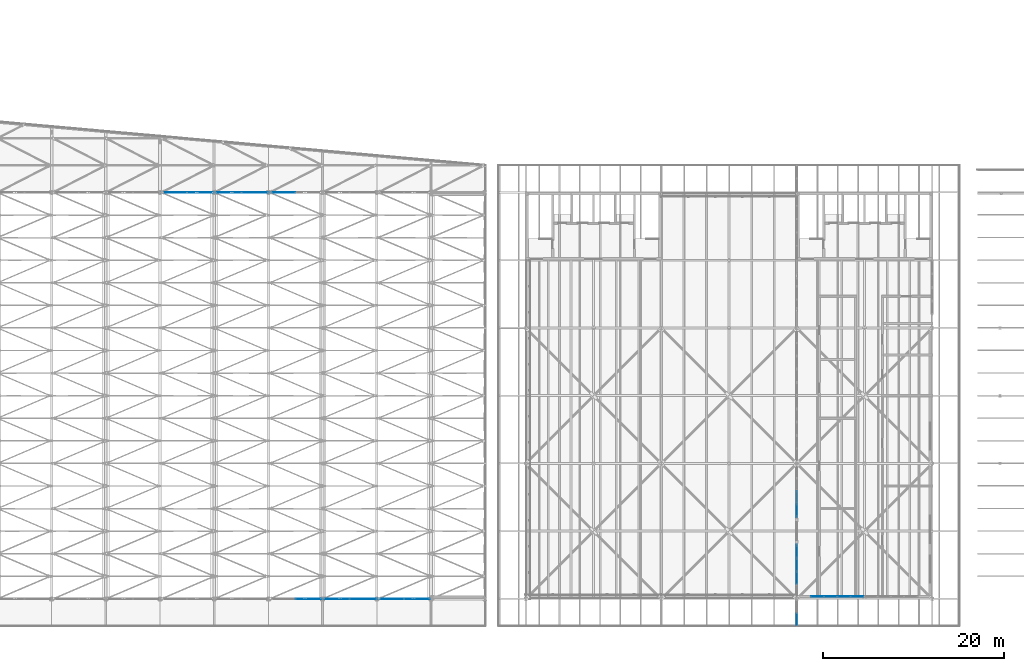
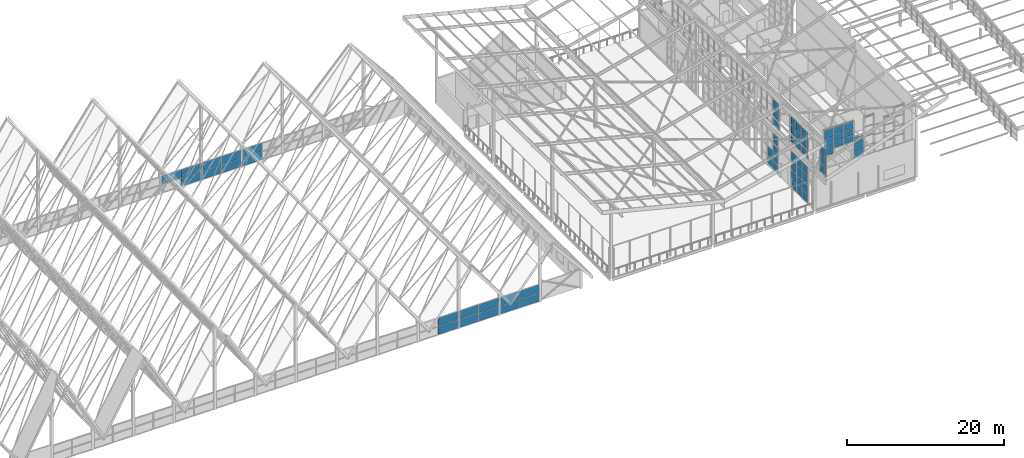
# One storey, part 107 of 483: 64 plates, 20 elements without a shape of their own.
"""IFC4 building model written with IfcOpenShell, lengths in metres."""

from ifc_helpers import new_model, si_unit, direction, frame, origin, origin_2d, place, context, subcontext, project, spatial, rectangle, extrude, material, layer, layer_set, type_object, element, aggregate, save


model = new_model("IFC4")

# Units and contexts
model_context = context("Model", 3, precision=1e-05, world=origin(), true_north=direction((0.0, 1.0)))
body_context = subcontext(model_context, "Body", "Model", "MODEL_VIEW")
ifc_project = project(units=[si_unit("LENGTHUNIT", "METRE"), si_unit("AREAUNIT", "SQUARE_METRE"), si_unit("VOLUMEUNIT", "CUBIC_METRE"), si_unit("PLANEANGLEUNIT", "RADIAN"), si_unit("MASSUNIT", "GRAM", prefix="KILO")], contexts=[model_context])

# Site, building, storey
site_placement = place(None, origin())
site = spatial("IfcSite", under=ifc_project, at=site_placement, CompositionType="ELEMENT")
building_placement = place(site_placement, origin())
building = spatial("IfcBuilding", under=site, at=building_placement, Name="Parallax Yard Mobility Hub", CompositionType="ELEMENT")
storey_placement = place(building_placement, frame((0.0, 0.0, 13.199951171875)))
storey = spatial("IfcBuildingStorey", under=building, at=storey_placement, Name="L04", CompositionType="ELEMENT", Elevation=13.199951171875)

# Curtain wall, plates
ifc_material_1 = material(Name="Thermally broken aluminium curtain wall system", Category="aluminium")
curtain_wall_type_1 = type_object("IfcCurtainWallType", Name="Curtain wall run 60 x 160 frame", PredefinedType="NOTDEFINED", material=ifc_material_1)
curtain_wall_1_placement = place(storey_placement, origin())
curtain_wall_1 = element("IfcCurtainWall", 1, at=curtain_wall_1_placement, inside=storey, type_object=curtain_wall_type_1, Name="Glazed gable end Bus and taxi deck south gable bay 11 level L04", PredefinedType="NOTDEFINED")
ifc_material_2 = material(Name="Laminated low-E double glazing", Category="glass")
ifc_layer_1 = layer(ifc_material_2, 0.028076171875)
ifc_layer_set_1 = layer_set([ifc_layer_1], Name="Glazing panel 28")
plate_type_1 = type_object("IfcPlateType", Name="Glazing panel 28", PredefinedType="CURTAIN_PANEL", material=ifc_layer_set_1)
plate_1_placement = place(storey_placement, frame((73.485107421875, 7.5, 0.06005859375), z_axis=(0.0, 0.0, 1.0), x_axis=(1.0, 0.0, 0.0)))
plate_1 = element("IfcPlate", 2, at=plate_1_placement, type_object=plate_type_1, Name="CW1 panel 2.1", PredefinedType="CURTAIN_PANEL", context=body_context, shape_type="SweptSolid", body=[
    extrude(rectangle(XDim=2.909912109375, YDim=0.028076171875, at=origin_2d()), origin(), (0.0, 0.0, 1.0), 1.2548828125),
])
plate_2_placement = place(storey_placement, frame((73.485107421875, 7.5, 1.375), z_axis=(0.0, 0.0, 1.0), x_axis=(1.0, 0.0, 0.0)))
plate_2 = element("IfcPlate", 3, at=plate_2_placement, type_object=plate_type_1, Name="CW1 panel 2.2", PredefinedType="CURTAIN_PANEL", context=body_context, shape_type="SweptSolid", body=[
    extrude(rectangle(XDim=2.909912109375, YDim=0.028076171875, at=origin_2d()), origin(), (0.0, 0.0, 1.0), 1.2548828125),
])
aggregate(curtain_wall_1, [plate_1, plate_2])

curtain_wall_2_placement = place(storey_placement, origin())
curtain_wall_2 = element("IfcCurtainWall", 4, at=curtain_wall_2_placement, inside=storey, type_object=curtain_wall_type_1, Name="Glazed gable end Bus and taxi deck south gable bay 12 level L04", PredefinedType="NOTDEFINED")
plate_3_placement = place(storey_placement, frame((76.514892578125, 7.5, 0.06005859375), z_axis=(0.0, 0.0, 1.0), x_axis=(1.0, 0.0, 0.0)))
plate_3 = element("IfcPlate", 5, at=plate_3_placement, type_object=plate_type_1, Name="CW1 panel 1.1", PredefinedType="CURTAIN_PANEL", context=body_context, shape_type="SweptSolid", body=[
    extrude(rectangle(XDim=2.909912109375, YDim=0.028076171875, at=origin_2d()), origin(), (0.0, 0.0, 1.0), 1.2548828125),
])
plate_4_placement = place(storey_placement, frame((76.514892578125, 7.5, 1.375), z_axis=(0.0, 0.0, 1.0), x_axis=(1.0, 0.0, 0.0)))
plate_4 = element("IfcPlate", 6, at=plate_4_placement, type_object=plate_type_1, Name="CW1 panel 1.2", PredefinedType="CURTAIN_PANEL", context=body_context, shape_type="SweptSolid", body=[
    extrude(rectangle(XDim=2.909912109375, YDim=0.028076171875, at=origin_2d()), origin(), (0.0, 0.0, 1.0), 1.2548828125),
])
plate_5_placement = place(storey_placement, frame((79.485107421875, 7.5, 0.06005859375), z_axis=(0.0, 0.0, 1.0), x_axis=(1.0, 0.0, 0.0)))
plate_5 = element("IfcPlate", 7, at=plate_5_placement, type_object=plate_type_1, Name="CW1 panel 2.1", PredefinedType="CURTAIN_PANEL", context=body_context, shape_type="SweptSolid", body=[
    extrude(rectangle(XDim=2.909912109375, YDim=0.028076171875, at=origin_2d()), origin(), (0.0, 0.0, 1.0), 1.2548828125),
])
plate_6_placement = place(storey_placement, frame((79.485107421875, 7.5, 1.375), z_axis=(0.0, 0.0, 1.0), x_axis=(1.0, 0.0, 0.0)))
plate_6 = element("IfcPlate", 8, at=plate_6_placement, type_object=plate_type_1, Name="CW1 panel 2.2", PredefinedType="CURTAIN_PANEL", context=body_context, shape_type="SweptSolid", body=[
    extrude(rectangle(XDim=2.909912109375, YDim=0.028076171875, at=origin_2d()), origin(), (0.0, 0.0, 1.0), 1.2548828125),
])
aggregate(curtain_wall_2, [plate_3, plate_4, plate_5, plate_6])

curtain_wall_3_placement = place(storey_placement, origin())
curtain_wall_3 = element("IfcCurtainWall", 9, at=curtain_wall_3_placement, inside=storey, type_object=curtain_wall_type_1, Name="Glazed gable end Bus and taxi deck south gable bay 13 level L04", PredefinedType="NOTDEFINED")
plate_7_placement = place(storey_placement, frame((82.514892578125, 7.5, 0.06005859375), z_axis=(0.0, 0.0, 1.0), x_axis=(1.0, 0.0, 0.0)))
plate_7 = element("IfcPlate", 10, at=plate_7_placement, type_object=plate_type_1, Name="CW1 panel 1.1", PredefinedType="CURTAIN_PANEL", context=body_context, shape_type="SweptSolid", body=[
    extrude(rectangle(XDim=2.909912109375, YDim=0.028076171875, at=origin_2d()), origin(), (0.0, 0.0, 1.0), 1.2548828125),
])
plate_8_placement = place(storey_placement, frame((82.514892578125, 7.5, 1.375), z_axis=(0.0, 0.0, 1.0), x_axis=(1.0, 0.0, 0.0)))
plate_8 = element("IfcPlate", 11, at=plate_8_placement, type_object=plate_type_1, Name="CW1 panel 1.2", PredefinedType="CURTAIN_PANEL", context=body_context, shape_type="SweptSolid", body=[
    extrude(rectangle(XDim=2.909912109375, YDim=0.028076171875, at=origin_2d()), origin(), (0.0, 0.0, 1.0), 1.2548828125),
])
plate_9_placement = place(storey_placement, frame((85.485107421875, 7.5, 0.06005859375), z_axis=(0.0, 0.0, 1.0), x_axis=(1.0, 0.0, 0.0)))
plate_9 = element("IfcPlate", 12, at=plate_9_placement, type_object=plate_type_1, Name="CW1 panel 2.1", PredefinedType="CURTAIN_PANEL", context=body_context, shape_type="SweptSolid", body=[
    extrude(rectangle(XDim=2.909912109375, YDim=0.028076171875, at=origin_2d()), origin(), (0.0, 0.0, 1.0), 1.2548828125),
])
plate_10_placement = place(storey_placement, frame((85.485107421875, 7.5, 1.375), z_axis=(0.0, 0.0, 1.0), x_axis=(1.0, 0.0, 0.0)))
plate_10 = element("IfcPlate", 13, at=plate_10_placement, type_object=plate_type_1, Name="CW1 panel 2.2", PredefinedType="CURTAIN_PANEL", context=body_context, shape_type="SweptSolid", body=[
    extrude(rectangle(XDim=2.909912109375, YDim=0.028076171875, at=origin_2d()), origin(), (0.0, 0.0, 1.0), 1.2548828125),
])
aggregate(curtain_wall_3, [plate_7, plate_8, plate_9, plate_10])

curtain_wall_4_placement = place(storey_placement, origin())
curtain_wall_4 = element("IfcCurtainWall", 14, at=curtain_wall_4_placement, inside=storey, type_object=curtain_wall_type_1, Name="Glazed gable end Bus and taxi deck north gable bay 9 level L04", PredefinedType="NOTDEFINED")
plate_11_placement = place(storey_placement, frame((58.514892578125, 52.5, 1.375), z_axis=(0.0, 0.0, 1.0), x_axis=(1.0, 0.0, 0.0)))
plate_11 = element("IfcPlate", 15, at=plate_11_placement, type_object=plate_type_1, Name="CW1 panel 1.2", PredefinedType="CURTAIN_PANEL", context=body_context, shape_type="SweptSolid", body=[
    extrude(rectangle(XDim=2.909912109375, YDim=0.028076171875, at=origin_2d()), origin(), (0.0, 0.0, 1.0), 1.2548828125),
])
plate_12_placement = place(storey_placement, frame((61.485107421875, 52.5, 0.06005859375), z_axis=(0.0, 0.0, 1.0), x_axis=(1.0, 0.0, 0.0)))
plate_12 = element("IfcPlate", 16, at=plate_12_placement, type_object=plate_type_1, Name="CW1 panel 2.1", PredefinedType="CURTAIN_PANEL", context=body_context, shape_type="SweptSolid", body=[
    extrude(rectangle(XDim=2.909912109375, YDim=0.028076171875, at=origin_2d()), origin(), (0.0, 0.0, 1.0), 1.2548828125),
])
plate_13_placement = place(storey_placement, frame((61.485107421875, 52.5, 1.375), z_axis=(0.0, 0.0, 1.0), x_axis=(1.0, 0.0, 0.0)))
plate_13 = element("IfcPlate", 17, at=plate_13_placement, type_object=plate_type_1, Name="CW1 panel 2.2", PredefinedType="CURTAIN_PANEL", context=body_context, shape_type="SweptSolid", body=[
    extrude(rectangle(XDim=2.909912109375, YDim=0.028076171875, at=origin_2d()), origin(), (0.0, 0.0, 1.0), 1.2548828125),
])
aggregate(curtain_wall_4, [plate_11, plate_12, plate_13])

curtain_wall_5_placement = place(storey_placement, origin())
curtain_wall_5 = element("IfcCurtainWall", 18, at=curtain_wall_5_placement, inside=storey, type_object=curtain_wall_type_1, Name="Glazed gable end Bus and taxi deck north gable bay 10 level L04", PredefinedType="NOTDEFINED")
plate_14_placement = place(storey_placement, frame((64.514892578125, 52.5, 0.06005859375), z_axis=(0.0, 0.0, 1.0), x_axis=(1.0, 0.0, 0.0)))
plate_14 = element("IfcPlate", 19, at=plate_14_placement, type_object=plate_type_1, Name="CW1 panel 1.1", PredefinedType="CURTAIN_PANEL", context=body_context, shape_type="SweptSolid", body=[
    extrude(rectangle(XDim=2.909912109375, YDim=0.028076171875, at=origin_2d()), origin(), (0.0, 0.0, 1.0), 1.2548828125),
])
plate_15_placement = place(storey_placement, frame((64.514892578125, 52.5, 1.375), z_axis=(0.0, 0.0, 1.0), x_axis=(1.0, 0.0, 0.0)))
plate_15 = element("IfcPlate", 20, at=plate_15_placement, type_object=plate_type_1, Name="CW1 panel 1.2", PredefinedType="CURTAIN_PANEL", context=body_context, shape_type="SweptSolid", body=[
    extrude(rectangle(XDim=2.909912109375, YDim=0.028076171875, at=origin_2d()), origin(), (0.0, 0.0, 1.0), 1.2548828125),
])
plate_16_placement = place(storey_placement, frame((67.485107421875, 52.5, 0.06005859375), z_axis=(0.0, 0.0, 1.0), x_axis=(1.0, 0.0, 0.0)))
plate_16 = element("IfcPlate", 21, at=plate_16_placement, type_object=plate_type_1, Name="CW1 panel 2.1", PredefinedType="CURTAIN_PANEL", context=body_context, shape_type="SweptSolid", body=[
    extrude(rectangle(XDim=2.909912109375, YDim=0.028076171875, at=origin_2d()), origin(), (0.0, 0.0, 1.0), 1.2548828125),
])
plate_17_placement = place(storey_placement, frame((67.485107421875, 52.5, 1.375), z_axis=(0.0, 0.0, 1.0), x_axis=(1.0, 0.0, 0.0)))
plate_17 = element("IfcPlate", 22, at=plate_17_placement, type_object=plate_type_1, Name="CW1 panel 2.2", PredefinedType="CURTAIN_PANEL", context=body_context, shape_type="SweptSolid", body=[
    extrude(rectangle(XDim=2.909912109375, YDim=0.028076171875, at=origin_2d()), origin(), (0.0, 0.0, 1.0), 1.2548828125),
])
aggregate(curtain_wall_5, [plate_14, plate_15, plate_16, plate_17])

curtain_wall_6_placement = place(storey_placement, origin())
curtain_wall_6 = element("IfcCurtainWall", 23, at=curtain_wall_6_placement, inside=storey, type_object=curtain_wall_type_1, Name="Glazed gable end Bus and taxi deck north gable bay 11 level L04", PredefinedType="NOTDEFINED")
plate_18_placement = place(storey_placement, frame((70.514892578125, 52.5, 0.06005859375), z_axis=(0.0, 0.0, 1.0), x_axis=(1.0, 0.0, 0.0)))
plate_18 = element("IfcPlate", 24, at=plate_18_placement, type_object=plate_type_1, Name="CW1 panel 1.1", PredefinedType="CURTAIN_PANEL", context=body_context, shape_type="SweptSolid", body=[
    extrude(rectangle(XDim=2.909912109375, YDim=0.028076171875, at=origin_2d()), origin(), (0.0, 0.0, 1.0), 1.2548828125),
])
plate_19_placement = place(storey_placement, frame((70.514892578125, 52.5, 1.375), z_axis=(0.0, 0.0, 1.0), x_axis=(1.0, 0.0, 0.0)))
plate_19 = element("IfcPlate", 25, at=plate_19_placement, type_object=plate_type_1, Name="CW1 panel 1.2", PredefinedType="CURTAIN_PANEL", context=body_context, shape_type="SweptSolid", body=[
    extrude(rectangle(XDim=2.909912109375, YDim=0.028076171875, at=origin_2d()), origin(), (0.0, 0.0, 1.0), 1.2548828125),
])
aggregate(curtain_wall_6, [plate_18, plate_19])

curtain_wall_type_2 = type_object("IfcCurtainWallType", Name="Clerestory glazing run 60 x 120 frame", PredefinedType="NOTDEFINED", material=ifc_material_1)
curtain_wall_7_placement = place(storey_placement, origin())
curtain_wall_7 = element("IfcCurtainWall", 26, at=curtain_wall_7_placement, inside=storey, type_object=curtain_wall_type_2, Name="Clerestory glazing run Rooftop sports deck south bay 1 level L04", PredefinedType="NOTDEFINED")
plate_20_placement = place(storey_placement, frame((129.7587890625, 7.754638671875, 7.762451171875), z_axis=(0.0, 0.0, 1.0), x_axis=(1.0, 0.0, 0.0)))
plate_20 = element("IfcPlate", 27, at=plate_20_placement, type_object=plate_type_1, Name="CW4 panel 1.1", PredefinedType="CURTAIN_PANEL", context=body_context, shape_type="SweptSolid", body=[
    extrude(rectangle(XDim=1.36083984375, YDim=0.028076171875, at=origin_2d()), origin(), (0.0, 0.0, 1.0), 1.25537109375),
])
plate_21_placement = place(storey_placement, frame((129.7587890625, 7.754638671875, 9.07763671875), z_axis=(0.0, 0.0, 1.0), x_axis=(1.0, 0.0, 0.0)))
plate_21 = element("IfcPlate", 28, at=plate_21_placement, type_object=plate_type_1, Name="CW4 panel 1.2", PredefinedType="CURTAIN_PANEL", context=body_context, shape_type="SweptSolid", body=[
    extrude(rectangle(XDim=1.36083984375, YDim=0.028076171875, at=origin_2d()), origin(), (0.0, 0.0, 1.0), 1.285400390625),
])
plate_22_placement = place(storey_placement, frame((129.7587890625, 7.754638671875, 10.42333984375), z_axis=(0.0, 0.0, 1.0), x_axis=(1.0, 0.0, 0.0)))
plate_22 = element("IfcPlate", 29, at=plate_22_placement, type_object=plate_type_1, Name="CW4 panel 1.3", PredefinedType="CURTAIN_PANEL", context=body_context, shape_type="SweptSolid", body=[
    extrude(rectangle(XDim=1.36083984375, YDim=0.028076171875, at=origin_2d()), origin(), (0.0, 0.0, 1.0), 1.25537109375),
])
aggregate(curtain_wall_7, [plate_20, plate_21, plate_22])

curtain_wall_8_placement = place(storey_placement, origin())
curtain_wall_8 = element("IfcCurtainWall", 30, at=curtain_wall_8_placement, inside=storey, type_object=curtain_wall_type_2, Name="Clerestory glazing run Rooftop sports deck south bay 1 level L04", PredefinedType="NOTDEFINED")
plate_23_placement = place(storey_placement, frame((131.23974609375, 7.754638671875, 8.572509765625), z_axis=(0.0, 0.0, 1.0), x_axis=(1.0, 0.0, 0.0)))
plate_23 = element("IfcPlate", 31, at=plate_23_placement, type_object=plate_type_1, Name="CW4 panel 1.1", PredefinedType="CURTAIN_PANEL", context=body_context, shape_type="SweptSolid", body=[
    extrude(rectangle(XDim=1.36083984375, YDim=0.028076171875, at=origin_2d()), origin(), (0.0, 0.0, 1.0), 0.9853515625),
])
plate_24_placement = place(storey_placement, frame((131.23974609375, 7.754638671875, 9.61767578125), z_axis=(0.0, 0.0, 1.0), x_axis=(1.0, 0.0, 0.0)))
plate_24 = element("IfcPlate", 32, at=plate_24_placement, type_object=plate_type_1, Name="CW4 panel 1.2", PredefinedType="CURTAIN_PANEL", context=body_context, shape_type="SweptSolid", body=[
    extrude(rectangle(XDim=1.36083984375, YDim=0.028076171875, at=origin_2d()), origin(), (0.0, 0.0, 1.0), 1.015380859375),
])
plate_25_placement = place(storey_placement, frame((131.23974609375, 7.754638671875, 10.693359375), z_axis=(0.0, 0.0, 1.0), x_axis=(1.0, 0.0, 0.0)))
plate_25 = element("IfcPlate", 33, at=plate_25_placement, type_object=plate_type_1, Name="CW4 panel 1.3", PredefinedType="CURTAIN_PANEL", context=body_context, shape_type="SweptSolid", body=[
    extrude(rectangle(XDim=1.36083984375, YDim=0.028076171875, at=origin_2d()), origin(), (0.0, 0.0, 1.0), 0.9853515625),
])
aggregate(curtain_wall_8, [plate_23, plate_24, plate_25])

curtain_wall_9_placement = place(storey_placement, origin())
curtain_wall_9 = element("IfcCurtainWall", 34, at=curtain_wall_9_placement, inside=storey, type_object=curtain_wall_type_2, Name="Clerestory glazing run Rooftop sports deck south bay 1 level L04", PredefinedType="NOTDEFINED")
plate_26_placement = place(storey_placement, frame((132.720703125, 7.754638671875, 8.572509765625), z_axis=(0.0, 0.0, 1.0), x_axis=(1.0, 0.0, 0.0)))
plate_26 = element("IfcPlate", 35, at=plate_26_placement, type_object=plate_type_1, Name="CW4 panel 1.1", PredefinedType="CURTAIN_PANEL", context=body_context, shape_type="SweptSolid", body=[
    extrude(rectangle(XDim=1.36083984375, YDim=0.028076171875, at=origin_2d()), origin(), (0.0, 0.0, 1.0), 0.9853515625),
])
plate_27_placement = place(storey_placement, frame((132.720703125, 7.754638671875, 9.61767578125), z_axis=(0.0, 0.0, 1.0), x_axis=(1.0, 0.0, 0.0)))
plate_27 = element("IfcPlate", 36, at=plate_27_placement, type_object=plate_type_1, Name="CW4 panel 1.2", PredefinedType="CURTAIN_PANEL", context=body_context, shape_type="SweptSolid", body=[
    extrude(rectangle(XDim=1.36083984375, YDim=0.028076171875, at=origin_2d()), origin(), (0.0, 0.0, 1.0), 1.015380859375),
])
plate_28_placement = place(storey_placement, frame((132.720703125, 7.754638671875, 10.693359375), z_axis=(0.0, 0.0, 1.0), x_axis=(1.0, 0.0, 0.0)))
plate_28 = element("IfcPlate", 37, at=plate_28_placement, type_object=plate_type_1, Name="CW4 panel 1.3", PredefinedType="CURTAIN_PANEL", context=body_context, shape_type="SweptSolid", body=[
    extrude(rectangle(XDim=1.36083984375, YDim=0.028076171875, at=origin_2d()), origin(), (0.0, 0.0, 1.0), 0.9853515625),
])
aggregate(curtain_wall_9, [plate_26, plate_27, plate_28])

curtain_wall_10_placement = place(storey_placement, origin())
curtain_wall_10 = element("IfcCurtainWall", 38, at=curtain_wall_10_placement, inside=storey, type_object=curtain_wall_type_2, Name="Clerestory glazing run Rooftop sports deck south bay 1 level L04", PredefinedType="NOTDEFINED")
plate_29_placement = place(storey_placement, frame((134.20166015625, 7.754638671875, 5.860107421875), z_axis=(0.0, 0.0, 1.0), x_axis=(1.0, 0.0, 0.0)))
plate_29 = element("IfcPlate", 39, at=plate_29_placement, type_object=plate_type_1, Name="CW4 panel 1.1", PredefinedType="CURTAIN_PANEL", context=body_context, shape_type="SweptSolid", body=[
    extrude(rectangle(XDim=1.36083984375, YDim=0.028076171875, at=origin_2d()), origin(), (0.0, 0.0, 1.0), 1.01513671875),
])
plate_30_placement = place(storey_placement, frame((134.20166015625, 7.754638671875, 6.93505859375), z_axis=(0.0, 0.0, 1.0), x_axis=(1.0, 0.0, 0.0)))
plate_30 = element("IfcPlate", 40, at=plate_30_placement, type_object=plate_type_1, Name="CW4 panel 1.2", PredefinedType="CURTAIN_PANEL", context=body_context, shape_type="SweptSolid", body=[
    extrude(rectangle(XDim=1.36083984375, YDim=0.028076171875, at=origin_2d()), origin(), (0.0, 0.0, 1.0), 1.045166015625),
])
plate_31_placement = place(storey_placement, frame((134.20166015625, 7.754638671875, 8.040283203125), z_axis=(0.0, 0.0, 1.0), x_axis=(1.0, 0.0, 0.0)))
plate_31 = element("IfcPlate", 41, at=plate_31_placement, type_object=plate_type_1, Name="CW4 panel 1.3", PredefinedType="CURTAIN_PANEL", context=body_context, shape_type="SweptSolid", body=[
    extrude(rectangle(XDim=1.36083984375, YDim=0.028076171875, at=origin_2d()), origin(), (0.0, 0.0, 1.0), 1.01513671875),
])
aggregate(curtain_wall_10, [plate_29, plate_30, plate_31])

curtain_wall_11_placement = place(storey_placement, origin())
curtain_wall_11 = element("IfcCurtainWall", 42, at=curtain_wall_11_placement, inside=storey, type_object=curtain_wall_type_2, Name="Clerestory glazing run Rooftop sports deck roof step 1 bay 1 level L04", PredefinedType="NOTDEFINED")
plate_32_placement = place(storey_placement, frame((127.5, 5.211669921875, 7.147705078125), z_axis=(0.0, 0.0, 1.0), x_axis=(0.0, 1.0, 0.0)))
plate_32 = element("IfcPlate", 43, at=plate_32_placement, type_object=plate_type_1, Name="CW4 panel 1.1", PredefinedType="CURTAIN_PANEL", context=body_context, shape_type="SweptSolid", body=[
    extrude(rectangle(XDim=1.30322265625, YDim=0.028076171875, at=origin_2d()), origin(), (0.0, 0.0, 1.0), 1.29248046875),
])
plate_33_placement = place(storey_placement, frame((127.5, 5.211669921875, 8.5), z_axis=(0.0, 0.0, 1.0), x_axis=(0.0, 1.0, 0.0)))
plate_33 = element("IfcPlate", 44, at=plate_33_placement, type_object=plate_type_1, Name="CW4 panel 1.2", PredefinedType="CURTAIN_PANEL", context=body_context, shape_type="SweptSolid", body=[
    extrude(rectangle(XDim=1.30322265625, YDim=0.028076171875, at=origin_2d()), origin(), (0.0, 0.0, 1.0), 1.322509765625),
])
plate_34_placement = place(storey_placement, frame((127.5, 5.211669921875, 9.882568359375), z_axis=(0.0, 0.0, 1.0), x_axis=(0.0, 1.0, 0.0)))
plate_34 = element("IfcPlate", 45, at=plate_34_placement, type_object=plate_type_1, Name="CW4 panel 1.3", PredefinedType="CURTAIN_PANEL", context=body_context, shape_type="SweptSolid", body=[
    extrude(rectangle(XDim=1.30322265625, YDim=0.028076171875, at=origin_2d()), origin(), (0.0, 0.0, 1.0), 1.29248046875),
])
aggregate(curtain_wall_11, [plate_32, plate_33, plate_34])

curtain_wall_12_placement = place(storey_placement, origin())
curtain_wall_12 = element("IfcCurtainWall", 46, at=curtain_wall_12_placement, inside=storey, type_object=curtain_wall_type_2, Name="Clerestory glazing run Rooftop sports deck roof step 1 bay 2 level L04", PredefinedType="NOTDEFINED")
plate_35_placement = place(storey_placement, frame((127.5, 9.857421875, 7.14794921875), z_axis=(0.0, 0.0, 1.0), x_axis=(0.0, 1.0, 0.0)))
plate_35 = element("IfcPlate", 47, at=plate_35_placement, type_object=plate_type_1, Name="CW4 panel 1.1", PredefinedType="CURTAIN_PANEL", context=body_context, shape_type="SweptSolid", body=[
    extrude(rectangle(XDim=1.349365234375, YDim=0.028076171875, at=origin_2d()), origin(), (0.0, 0.0, 1.0), 1.276611328125),
])
plate_36_placement = place(storey_placement, frame((127.5, 9.857421875, 8.484375), z_axis=(0.0, 0.0, 1.0), x_axis=(0.0, 1.0, 0.0)))
plate_36 = element("IfcPlate", 48, at=plate_36_placement, type_object=plate_type_1, Name="CW4 panel 1.2", PredefinedType="CURTAIN_PANEL", context=body_context, shape_type="SweptSolid", body=[
    extrude(rectangle(XDim=1.349365234375, YDim=0.028076171875, at=origin_2d()), origin(), (0.0, 0.0, 1.0), 1.306884765625),
])
plate_37_placement = place(storey_placement, frame((127.5, 9.857421875, 9.8515625), z_axis=(0.0, 0.0, 1.0), x_axis=(0.0, 1.0, 0.0)))
plate_37 = element("IfcPlate", 49, at=plate_37_placement, type_object=plate_type_1, Name="CW4 panel 1.3", PredefinedType="CURTAIN_PANEL", context=body_context, shape_type="SweptSolid", body=[
    extrude(rectangle(XDim=1.349365234375, YDim=0.028076171875, at=origin_2d()), origin(), (0.0, 0.0, 1.0), 1.276611328125),
])
aggregate(curtain_wall_12, [plate_35, plate_36, plate_37])

curtain_wall_13_placement = place(storey_placement, origin())
curtain_wall_13 = element("IfcCurtainWall", 50, at=curtain_wall_13_placement, inside=storey, type_object=curtain_wall_type_2, Name="Clerestory glazing run Rooftop sports deck roof step 1 bay 2 level L04", PredefinedType="NOTDEFINED")
plate_38_placement = place(storey_placement, frame((127.5, 11.32666015625, 7.14794921875), z_axis=(0.0, 0.0, 1.0), x_axis=(0.0, 1.0, 0.0)))
plate_38 = element("IfcPlate", 51, at=plate_38_placement, type_object=plate_type_1, Name="CW4 panel 1.1", PredefinedType="CURTAIN_PANEL", context=body_context, shape_type="SweptSolid", body=[
    extrude(rectangle(XDim=1.349365234375, YDim=0.028076171875, at=origin_2d()), origin(), (0.0, 0.0, 1.0), 1.272216796875),
])
plate_39_placement = place(storey_placement, frame((127.5, 11.32666015625, 8.47998046875), z_axis=(0.0, 0.0, 1.0), x_axis=(0.0, 1.0, 0.0)))
plate_39 = element("IfcPlate", 52, at=plate_39_placement, type_object=plate_type_1, Name="CW4 panel 1.2", PredefinedType="CURTAIN_PANEL", context=body_context, shape_type="SweptSolid", body=[
    extrude(rectangle(XDim=1.349365234375, YDim=0.028076171875, at=origin_2d()), origin(), (0.0, 0.0, 1.0), 1.302001953125),
])
plate_40_placement = place(storey_placement, frame((127.5, 11.32666015625, 9.841796875), z_axis=(0.0, 0.0, 1.0), x_axis=(0.0, 1.0, 0.0)))
plate_40 = element("IfcPlate", 53, at=plate_40_placement, type_object=plate_type_1, Name="CW4 panel 1.3", PredefinedType="CURTAIN_PANEL", context=body_context, shape_type="SweptSolid", body=[
    extrude(rectangle(XDim=1.349365234375, YDim=0.028076171875, at=origin_2d()), origin(), (0.0, 0.0, 1.0), 1.272216796875),
])
aggregate(curtain_wall_13, [plate_38, plate_39, plate_40])

curtain_wall_14_placement = place(storey_placement, origin())
curtain_wall_14 = element("IfcCurtainWall", 54, at=curtain_wall_14_placement, inside=storey, type_object=curtain_wall_type_2, Name="Clerestory glazing run Rooftop sports deck roof step 1 bay 2 level L04", PredefinedType="NOTDEFINED")
plate_41_placement = place(storey_placement, frame((127.5, 12.796142578125, 7.14794921875), z_axis=(0.0, 0.0, 1.0), x_axis=(0.0, 1.0, 0.0)))
plate_41 = element("IfcPlate", 55, at=plate_41_placement, type_object=plate_type_1, Name="CW4 panel 1.1", PredefinedType="CURTAIN_PANEL", context=body_context, shape_type="SweptSolid", body=[
    extrude(rectangle(XDim=1.349365234375, YDim=0.028076171875, at=origin_2d()), origin(), (0.0, 0.0, 1.0), 1.26708984375),
])
plate_42_placement = place(storey_placement, frame((127.5, 12.796142578125, 8.47509765625), z_axis=(0.0, 0.0, 1.0), x_axis=(0.0, 1.0, 0.0)))
plate_42 = element("IfcPlate", 56, at=plate_42_placement, type_object=plate_type_1, Name="CW4 panel 1.2", PredefinedType="CURTAIN_PANEL", context=body_context, shape_type="SweptSolid", body=[
    extrude(rectangle(XDim=1.349365234375, YDim=0.028076171875, at=origin_2d()), origin(), (0.0, 0.0, 1.0), 1.297119140625),
])
plate_43_placement = place(storey_placement, frame((127.5, 12.796142578125, 9.83203125), z_axis=(0.0, 0.0, 1.0), x_axis=(0.0, 1.0, 0.0)))
plate_43 = element("IfcPlate", 57, at=plate_43_placement, type_object=plate_type_1, Name="CW4 panel 1.3", PredefinedType="CURTAIN_PANEL", context=body_context, shape_type="SweptSolid", body=[
    extrude(rectangle(XDim=1.349365234375, YDim=0.028076171875, at=origin_2d()), origin(), (0.0, 0.0, 1.0), 1.26708984375),
])
aggregate(curtain_wall_14, [plate_41, plate_42, plate_43])

curtain_wall_15_placement = place(storey_placement, origin())
curtain_wall_15 = element("IfcCurtainWall", 58, at=curtain_wall_15_placement, inside=storey, type_object=curtain_wall_type_2, Name="Clerestory glazing run Rooftop sports deck roof step 1 bay 2 level L04", PredefinedType="NOTDEFINED")
plate_44_placement = place(storey_placement, frame((127.5, 17.203857421875, 7.14794921875), z_axis=(0.0, 0.0, 1.0), x_axis=(0.0, 1.0, 0.0)))
plate_44 = element("IfcPlate", 59, at=plate_44_placement, type_object=plate_type_1, Name="CW4 panel 1.1", PredefinedType="CURTAIN_PANEL", context=body_context, shape_type="SweptSolid", body=[
    extrude(rectangle(XDim=1.349365234375, YDim=0.028076171875, at=origin_2d()), origin(), (0.0, 0.0, 1.0), 1.25244140625),
])
plate_45_placement = place(storey_placement, frame((127.5, 17.203857421875, 8.46044921875), z_axis=(0.0, 0.0, 1.0), x_axis=(0.0, 1.0, 0.0)))
plate_45 = element("IfcPlate", 60, at=plate_45_placement, type_object=plate_type_1, Name="CW4 panel 1.2", PredefinedType="CURTAIN_PANEL", context=body_context, shape_type="SweptSolid", body=[
    extrude(rectangle(XDim=1.349365234375, YDim=0.028076171875, at=origin_2d()), origin(), (0.0, 0.0, 1.0), 1.282470703125),
])
plate_46_placement = place(storey_placement, frame((127.5, 17.203857421875, 9.802734375), z_axis=(0.0, 0.0, 1.0), x_axis=(0.0, 1.0, 0.0)))
plate_46 = element("IfcPlate", 61, at=plate_46_placement, type_object=plate_type_1, Name="CW4 panel 1.3", PredefinedType="CURTAIN_PANEL", context=body_context, shape_type="SweptSolid", body=[
    extrude(rectangle(XDim=1.349365234375, YDim=0.028076171875, at=origin_2d()), origin(), (0.0, 0.0, 1.0), 1.25244140625),
])
aggregate(curtain_wall_15, [plate_44, plate_45, plate_46])

curtain_wall_type_3 = type_object("IfcCurtainWallType", Name="Tall curtain wall run 75 x 200 frame", PredefinedType="NOTDEFINED", material=ifc_material_1)
curtain_wall_16_placement = place(storey_placement, origin())
curtain_wall_16 = element("IfcCurtainWall", 62, at=curtain_wall_16_placement, inside=storey, type_object=curtain_wall_type_3, Name="Curtain wall run Rooftop sports deck west bay 1 level L04", PredefinedType="NOTDEFINED")
ifc_layer_2 = layer(ifc_material_2, 0.031982421875)
ifc_layer_set_2 = layer_set([ifc_layer_2], Name="Glazing panel 32")
plate_type_2 = type_object("IfcPlateType", Name="Glazing panel 32", PredefinedType="CURTAIN_PANEL", material=ifc_layer_set_2)
plate_47_placement = place(storey_placement, frame((127.5, 9.808349609375, 0.0751953125), z_axis=(0.0, 0.0, 1.0), x_axis=(0.0, 1.0, 0.0)))
plate_47 = element("IfcPlate", 63, at=plate_47_placement, type_object=plate_type_2, Name="CW3 panel 1.1", PredefinedType="CURTAIN_PANEL", context=body_context, shape_type="SweptSolid", body=[
    extrude(rectangle(XDim=1.28662109375, YDim=0.031982421875, at=origin_2d()), origin(), (0.0, 0.0, 1.0), 1.33740234375),
])
plate_48_placement = place(storey_placement, frame((127.5, 9.808349609375, 1.487548828125), z_axis=(0.0, 0.0, 1.0), x_axis=(0.0, 1.0, 0.0)))
plate_48 = element("IfcPlate", 64, at=plate_48_placement, type_object=plate_type_2, Name="CW3 panel 1.2", PredefinedType="CURTAIN_PANEL", context=body_context, shape_type="SweptSolid", body=[
    extrude(rectangle(XDim=1.28662109375, YDim=0.031982421875, at=origin_2d()), origin(), (0.0, 0.0, 1.0), 1.375),
])
plate_49_placement = place(storey_placement, frame((127.5, 9.808349609375, 2.9375), z_axis=(0.0, 0.0, 1.0), x_axis=(0.0, 1.0, 0.0)))
plate_49 = element("IfcPlate", 65, at=plate_49_placement, type_object=plate_type_2, Name="CW3 panel 1.3", PredefinedType="CURTAIN_PANEL", context=body_context, shape_type="SweptSolid", body=[
    extrude(rectangle(XDim=1.28662109375, YDim=0.031982421875, at=origin_2d()), origin(), (0.0, 0.0, 1.0), 1.375),
])
plate_50_placement = place(storey_placement, frame((127.5, 9.808349609375, 4.3876953125), z_axis=(0.0, 0.0, 1.0), x_axis=(0.0, 1.0, 0.0)))
plate_50 = element("IfcPlate", 66, at=plate_50_placement, type_object=plate_type_2, Name="CW3 panel 1.4", PredefinedType="CURTAIN_PANEL", context=body_context, shape_type="SweptSolid", body=[
    extrude(rectangle(XDim=1.28662109375, YDim=0.031982421875, at=origin_2d()), origin(), (0.0, 0.0, 1.0), 1.33740234375),
])
aggregate(curtain_wall_16, [plate_47, plate_48, plate_49, plate_50])

curtain_wall_17_placement = place(storey_placement, origin())
curtain_wall_17 = element("IfcCurtainWall", 67, at=curtain_wall_17_placement, inside=storey, type_object=curtain_wall_type_3, Name="Curtain wall run Rooftop sports deck west bay 1 level L04", PredefinedType="NOTDEFINED")
plate_51_placement = place(storey_placement, frame((127.5, 11.2451171875, 0.0751953125), z_axis=(0.0, 0.0, 1.0), x_axis=(0.0, 1.0, 0.0)))
plate_51 = element("IfcPlate", 68, at=plate_51_placement, type_object=plate_type_2, Name="CW3 panel 1.1", PredefinedType="CURTAIN_PANEL", context=body_context, shape_type="SweptSolid", body=[
    extrude(rectangle(XDim=1.28662109375, YDim=0.031982421875, at=origin_2d()), origin(), (0.0, 0.0, 1.0), 1.33740234375),
])
plate_52_placement = place(storey_placement, frame((127.5, 11.2451171875, 1.487548828125), z_axis=(0.0, 0.0, 1.0), x_axis=(0.0, 1.0, 0.0)))
plate_52 = element("IfcPlate", 69, at=plate_52_placement, type_object=plate_type_2, Name="CW3 panel 1.2", PredefinedType="CURTAIN_PANEL", context=body_context, shape_type="SweptSolid", body=[
    extrude(rectangle(XDim=1.28662109375, YDim=0.031982421875, at=origin_2d()), origin(), (0.0, 0.0, 1.0), 1.375),
])
plate_53_placement = place(storey_placement, frame((127.5, 11.2451171875, 2.9375), z_axis=(0.0, 0.0, 1.0), x_axis=(0.0, 1.0, 0.0)))
plate_53 = element("IfcPlate", 70, at=plate_53_placement, type_object=plate_type_2, Name="CW3 panel 1.3", PredefinedType="CURTAIN_PANEL", context=body_context, shape_type="SweptSolid", body=[
    extrude(rectangle(XDim=1.28662109375, YDim=0.031982421875, at=origin_2d()), origin(), (0.0, 0.0, 1.0), 1.375),
])
plate_54_placement = place(storey_placement, frame((127.5, 11.2451171875, 4.3876953125), z_axis=(0.0, 0.0, 1.0), x_axis=(0.0, 1.0, 0.0)))
plate_54 = element("IfcPlate", 71, at=plate_54_placement, type_object=plate_type_2, Name="CW3 panel 1.4", PredefinedType="CURTAIN_PANEL", context=body_context, shape_type="SweptSolid", body=[
    extrude(rectangle(XDim=1.28662109375, YDim=0.031982421875, at=origin_2d()), origin(), (0.0, 0.0, 1.0), 1.33740234375),
])
aggregate(curtain_wall_17, [plate_51, plate_52, plate_53, plate_54])

curtain_wall_18_placement = place(storey_placement, origin())
curtain_wall_18 = element("IfcCurtainWall", 72, at=curtain_wall_18_placement, inside=storey, type_object=curtain_wall_type_3, Name="Curtain wall run Rooftop sports deck west bay 1 level L04", PredefinedType="NOTDEFINED")
plate_55_placement = place(storey_placement, frame((127.5, 12.681640625, 0.0751953125), z_axis=(0.0, 0.0, 1.0), x_axis=(0.0, 1.0, 0.0)))
plate_55 = element("IfcPlate", 73, at=plate_55_placement, type_object=plate_type_2, Name="CW3 panel 1.1", PredefinedType="CURTAIN_PANEL", context=body_context, shape_type="SweptSolid", body=[
    extrude(rectangle(XDim=1.28662109375, YDim=0.031982421875, at=origin_2d()), origin(), (0.0, 0.0, 1.0), 1.33740234375),
])
plate_56_placement = place(storey_placement, frame((127.5, 12.681640625, 1.487548828125), z_axis=(0.0, 0.0, 1.0), x_axis=(0.0, 1.0, 0.0)))
plate_56 = element("IfcPlate", 74, at=plate_56_placement, type_object=plate_type_2, Name="CW3 panel 1.2", PredefinedType="CURTAIN_PANEL", context=body_context, shape_type="SweptSolid", body=[
    extrude(rectangle(XDim=1.28662109375, YDim=0.031982421875, at=origin_2d()), origin(), (0.0, 0.0, 1.0), 1.375),
])
plate_57_placement = place(storey_placement, frame((127.5, 12.681640625, 2.9375), z_axis=(0.0, 0.0, 1.0), x_axis=(0.0, 1.0, 0.0)))
plate_57 = element("IfcPlate", 75, at=plate_57_placement, type_object=plate_type_2, Name="CW3 panel 1.3", PredefinedType="CURTAIN_PANEL", context=body_context, shape_type="SweptSolid", body=[
    extrude(rectangle(XDim=1.28662109375, YDim=0.031982421875, at=origin_2d()), origin(), (0.0, 0.0, 1.0), 1.375),
])
plate_58_placement = place(storey_placement, frame((127.5, 12.681640625, 4.3876953125), z_axis=(0.0, 0.0, 1.0), x_axis=(0.0, 1.0, 0.0)))
plate_58 = element("IfcPlate", 76, at=plate_58_placement, type_object=plate_type_2, Name="CW3 panel 1.4", PredefinedType="CURTAIN_PANEL", context=body_context, shape_type="SweptSolid", body=[
    extrude(rectangle(XDim=1.28662109375, YDim=0.031982421875, at=origin_2d()), origin(), (0.0, 0.0, 1.0), 1.33740234375),
])
aggregate(curtain_wall_18, [plate_55, plate_56, plate_57, plate_58])

curtain_wall_19_placement = place(storey_placement, origin())
curtain_wall_19 = element("IfcCurtainWall", 77, at=curtain_wall_19_placement, inside=storey, type_object=curtain_wall_type_3, Name="Curtain wall run Rooftop sports deck west bay 1 level L04", PredefinedType="NOTDEFINED")
plate_59_placement = place(storey_placement, frame((127.5, 17.318359375, 0.0751953125), z_axis=(0.0, 0.0, 1.0), x_axis=(0.0, 1.0, 0.0)))
plate_59 = element("IfcPlate", 78, at=plate_59_placement, type_object=plate_type_2, Name="CW3 panel 1.1", PredefinedType="CURTAIN_PANEL", context=body_context, shape_type="SweptSolid", body=[
    extrude(rectangle(XDim=1.28662109375, YDim=0.031982421875, at=origin_2d()), origin(), (0.0, 0.0, 1.0), 1.33740234375),
])
plate_60_placement = place(storey_placement, frame((127.5, 17.318359375, 1.487548828125), z_axis=(0.0, 0.0, 1.0), x_axis=(0.0, 1.0, 0.0)))
plate_60 = element("IfcPlate", 79, at=plate_60_placement, type_object=plate_type_2, Name="CW3 panel 1.2", PredefinedType="CURTAIN_PANEL", context=body_context, shape_type="SweptSolid", body=[
    extrude(rectangle(XDim=1.28662109375, YDim=0.031982421875, at=origin_2d()), origin(), (0.0, 0.0, 1.0), 1.375),
])
plate_61_placement = place(storey_placement, frame((127.5, 17.318359375, 2.9375), z_axis=(0.0, 0.0, 1.0), x_axis=(0.0, 1.0, 0.0)))
plate_61 = element("IfcPlate", 80, at=plate_61_placement, type_object=plate_type_2, Name="CW3 panel 1.3", PredefinedType="CURTAIN_PANEL", context=body_context, shape_type="SweptSolid", body=[
    extrude(rectangle(XDim=1.28662109375, YDim=0.031982421875, at=origin_2d()), origin(), (0.0, 0.0, 1.0), 1.375),
])
plate_62_placement = place(storey_placement, frame((127.5, 17.318359375, 4.3876953125), z_axis=(0.0, 0.0, 1.0), x_axis=(0.0, 1.0, 0.0)))
plate_62 = element("IfcPlate", 81, at=plate_62_placement, type_object=plate_type_2, Name="CW3 panel 1.4", PredefinedType="CURTAIN_PANEL", context=body_context, shape_type="SweptSolid", body=[
    extrude(rectangle(XDim=1.28662109375, YDim=0.031982421875, at=origin_2d()), origin(), (0.0, 0.0, 1.0), 1.33740234375),
])
aggregate(curtain_wall_19, [plate_59, plate_60, plate_61, plate_62])

curtain_wall_20_placement = place(storey_placement, origin())
curtain_wall_20 = element("IfcCurtainWall", 82, at=curtain_wall_20_placement, inside=storey, type_object=curtain_wall_type_3, Name="Curtain wall run Rooftop sports deck west bay 1 level L04", PredefinedType="NOTDEFINED")
plate_63_placement = place(storey_placement, frame((127.5, 18.7548828125, 0.0751953125), z_axis=(0.0, 0.0, 1.0), x_axis=(0.0, 1.0, 0.0)))
plate_63 = element("IfcPlate", 83, at=plate_63_placement, type_object=plate_type_2, Name="CW3 panel 1.1", PredefinedType="CURTAIN_PANEL", context=body_context, shape_type="SweptSolid", body=[
    extrude(rectangle(XDim=1.28662109375, YDim=0.031982421875, at=origin_2d()), origin(), (0.0, 0.0, 1.0), 1.33740234375),
])
plate_64_placement = place(storey_placement, frame((127.5, 18.7548828125, 1.487548828125), z_axis=(0.0, 0.0, 1.0), x_axis=(0.0, 1.0, 0.0)))
plate_64 = element("IfcPlate", 84, at=plate_64_placement, type_object=plate_type_2, Name="CW3 panel 1.2", PredefinedType="CURTAIN_PANEL", context=body_context, shape_type="SweptSolid", body=[
    extrude(rectangle(XDim=1.28662109375, YDim=0.031982421875, at=origin_2d()), origin(), (0.0, 0.0, 1.0), 1.375),
])
aggregate(curtain_wall_20, [plate_63, plate_64])

save(model, "model.ifc")
